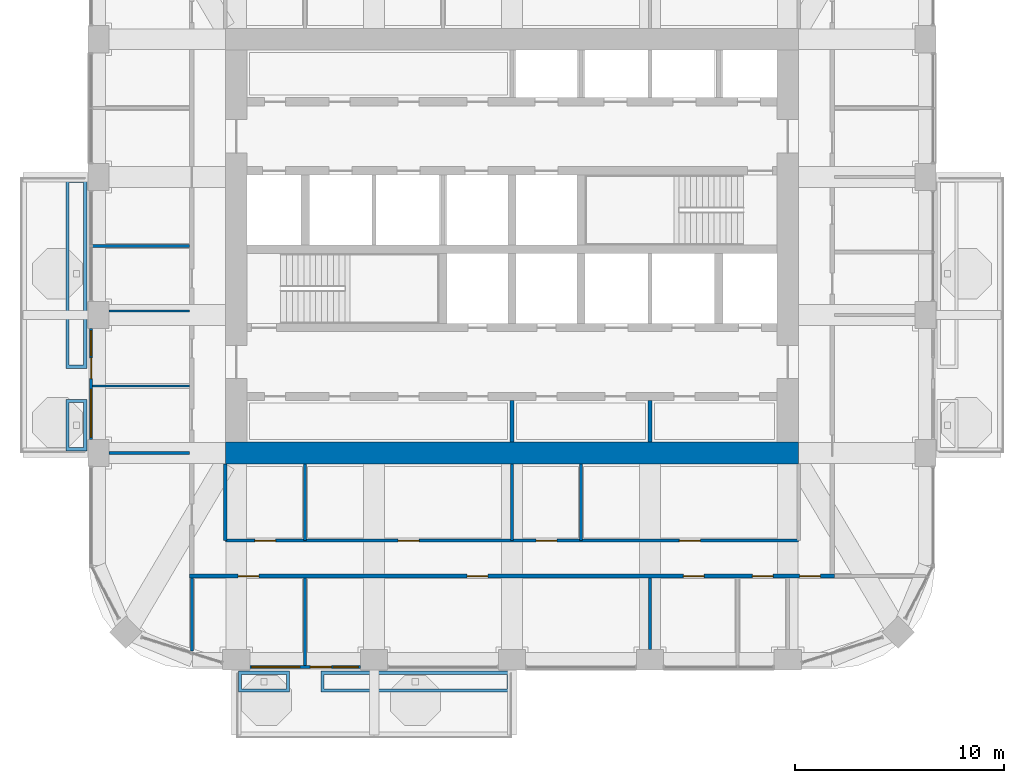
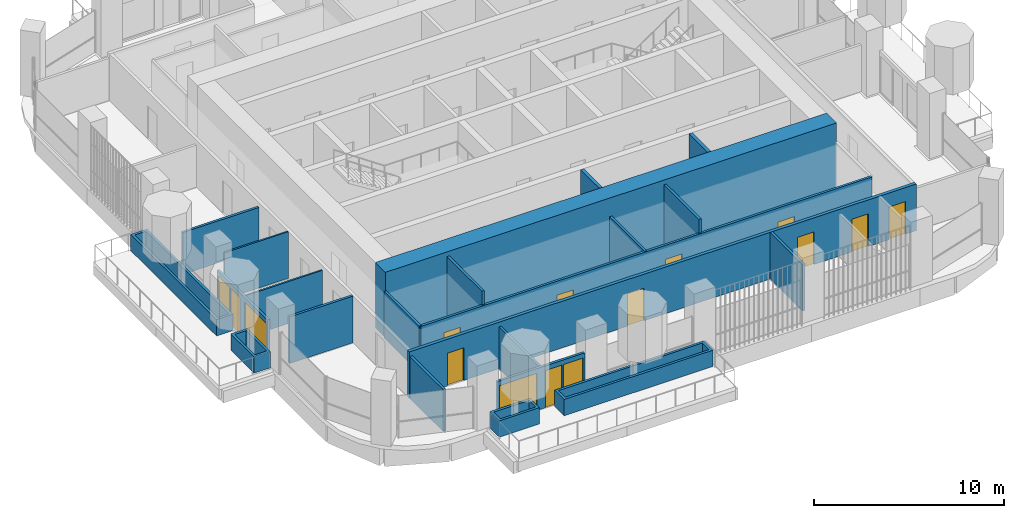
# One storey, part 11 of 19: 22 walls, 11 doors, 4 windows, 15 openings.
"""IFC4 building model written with IfcOpenShell, lengths in metres."""

from ifc_helpers import new_model, si_unit, direction, frame, frame_2d, origin, place, context, subcontext, project, spatial, polyline, rectangle, outline, extrude, material, layer, layer_set, type_object, element, fill, save


model = new_model("IFC4")

# Units and contexts
model_context = context("Model", 3, precision=1e-05, world=origin(), true_north=direction((0.0, 1.0)))
body_context = subcontext(model_context, "Body", "Model", "MODEL_VIEW")
ifc_project = project(units=[si_unit("LENGTHUNIT", "METRE"), si_unit("AREAUNIT", "SQUARE_METRE"), si_unit("VOLUMEUNIT", "CUBIC_METRE"), si_unit("PLANEANGLEUNIT", "RADIAN"), si_unit("MASSUNIT", "GRAM", prefix="KILO")], contexts=[model_context])

# Site, building, storey
site_placement = place(None, origin())
site = spatial("IfcSite", under=ifc_project, at=site_placement, CompositionType="ELEMENT")
building_placement = place(site_placement, origin())
building = spatial("IfcBuilding", under=site, at=building_placement, Name="Cobogo Forest Laboratory Tower", CompositionType="ELEMENT")
storey_placement = place(building_placement, frame((0.0, 0.0, 237.60009765625)))
storey = spatial("IfcBuildingStorey", under=building, at=storey_placement, Name="L54", CompositionType="ELEMENT", Elevation=237.60009765625)

# Wall
ifc_material_1 = material(Name="Concrete HA-50 (C50/60)", Category="concrete")
ifc_layer_1 = layer(ifc_material_1, 1.050048828125)
ifc_layer_set_1 = layer_set([ifc_layer_1], Name="CW1050 core outer wall 1050")
wall_type_1 = type_object("IfcWallType", Name="CW1050 core outer wall 1050", PredefinedType="SHEAR", material=ifc_layer_set_1)
wall_1_placement = place(storey_placement, frame((12.675048828125, 13.199951171875, 0.0), z_axis=(0.0, 0.0, 1.0), x_axis=(1.0, 0.0, 0.0)))
element("IfcWall", 1, at=wall_1_placement, inside=storey, type_object=wall_type_1, Name="Core wall CO-S L54", PredefinedType="SHEAR", context=body_context, shape_type="SweptSolid", body=[
    extrude(rectangle(XDim=27.449951171875, YDim=1.050048828125, at=frame_2d((13.72509765625, 0.0))), origin(), (0.0, 0.0, 1.0), 4.199951171875),
])

# Wall, openings, door, windows
ifc_material_2 = material(Name="Aluminium framed glazed screen", Category="aluminium")
ifc_layer_2 = layer(ifc_material_2, 0.14990234375)
ifc_layer_set_2 = layer_set([ifc_layer_2], Name="GS1 glazed door screen 150")
wall_type_2 = type_object("IfcWallType", Name="GS1 glazed door screen 150", PredefinedType="SOLIDWALL", material=ifc_layer_set_2)
wall_2_placement = place(storey_placement, frame((13.85009765625, 2.949951171875, 0.0), z_axis=(0.0, 0.0, 1.0), x_axis=(1.0, 0.0, 0.0)))
wall_2 = element("IfcWall", 2, at=wall_2_placement, inside=storey, type_object=wall_type_2, Name="Door screen BAL-S1 L54", PredefinedType="SOLIDWALL", context=body_context, shape_type="SweptSolid", body=[
    extrude(rectangle(XDim=5.2998046875, YDim=0.14990234375, at=frame_2d((2.64990234375, 0.0))), origin(), (0.0, 0.0, 1.0), 2.699951171875),
])
opening_1_placement = place(wall_2_placement, frame((2.89990234375, 0.0, 0.0)))
opening_1 = element("IfcOpeningElement", 3, at=opening_1_placement, cuts=wall_2, Name="Opening L54-D01", PredefinedType="OPENING", context=body_context, shape_type="SweptSolid", body=[
    extrude(rectangle(XDim=1.0, YDim=2.39990234375, at=frame_2d((0.5, 1.199951171875))), frame((0.0, 0.0849609375, 0.0), z_axis=(0.0, -1.0, 0.0), x_axis=(1.0, 0.0, 0.0)), (0.0, 0.0, 1.0), 0.169921875),
])
opening_2_placement = place(wall_2_placement, frame((0.10009765625, 0.0, 0.10009765625)))
opening_2 = element("IfcOpeningElement", 4, at=opening_2_placement, cuts=wall_2, Name="Opening L54-W01", PredefinedType="OPENING", context=body_context, shape_type="SweptSolid", body=[
    extrude(rectangle(XDim=2.300048828125, YDim=2.300048828125, at=frame_2d((1.14990234375, 1.14990234375))), frame((0.0, 0.0849609375, 0.0), z_axis=(0.0, -1.0, 0.0), x_axis=(1.0, 0.0, 0.0)), (0.0, 0.0, 1.0), 0.169921875),
])
opening_3_placement = place(wall_2_placement, frame((4.0, 0.0, 0.10009765625)))
opening_3 = element("IfcOpeningElement", 5, at=opening_3_placement, cuts=wall_2, Name="Opening L54-W02", PredefinedType="OPENING", context=body_context, shape_type="SweptSolid", body=[
    extrude(rectangle(XDim=1.199951171875, YDim=2.300048828125, at=frame_2d((0.60009765625, 1.14990234375))), frame((0.0, 0.0849609375, 0.0), z_axis=(0.0, -1.0, 0.0), x_axis=(1.0, 0.0, 0.0)), (0.0, 0.0, 1.0), 0.169921875),
])
ifc_material_3 = material(Name="Aluminium glazed door", Category="aluminium")
door_type_1 = type_object("IfcDoorType", Name="DB1 balcony door 1000 glazed", OperationType="SINGLE_SWING_LEFT", PredefinedType="DOOR", material=ifc_material_3)
door_1_placement = place(opening_1_placement, origin())
door_1 = element("IfcDoor", 6, at=door_1_placement, inside=storey, type_object=door_type_1, Name="Door L54-BAL-S1", OperationType="SINGLE_SWING_RIGHT", OverallHeight=2.39990234375, OverallWidth=1.0, PredefinedType="DOOR", context=body_context, shape_type="SweptSolid", body=[
    extrude(rectangle(XDim=1.0, YDim=2.39990234375, at=frame_2d((0.5, 1.199951171875))), frame((0.0, 0.02490234375, 0.0), z_axis=(0.0, -1.0, 0.0), x_axis=(1.0, 0.0, 0.0)), (0.0, 0.0, 1.0), 0.050048828125),
])
fill(opening_1, door_1)
ifc_material_4 = material(Name="Aluminium framed glazing", Category="aluminium")
window_type_1 = type_object("IfcWindowType", Name="WG21 fixed glazed light 2300x2300", PartitioningType="SINGLE_PANEL", PredefinedType="WINDOW", material=ifc_material_4)
window_1_placement = place(opening_2_placement, origin())
window_1 = element("IfcWindow", 7, at=window_1_placement, inside=storey, type_object=window_type_1, Name="Window L54-BAL-S1-1", OverallHeight=2.300048828125, OverallWidth=2.300048828125, PartitioningType="SINGLE_PANEL", PredefinedType="WINDOW", context=body_context, shape_type="SweptSolid", body=[
    extrude(rectangle(XDim=2.300048828125, YDim=2.300048828125, at=frame_2d((1.14990234375, 1.14990234375))), frame((0.0, 0.030029296875, 0.0), z_axis=(0.0, -1.0, 0.0), x_axis=(1.0, 0.0, 0.0)), (0.0, 0.0, 1.0), 0.06005859375),
])
fill(opening_2, window_1)
window_type_2 = type_object("IfcWindowType", Name="WG22 fixed glazed light 1200x2300", PartitioningType="SINGLE_PANEL", PredefinedType="WINDOW", material=ifc_material_4)
window_2_placement = place(opening_3_placement, origin())
window_2 = element("IfcWindow", 8, at=window_2_placement, inside=storey, type_object=window_type_2, Name="Window L54-BAL-S1-2", OverallHeight=2.300048828125, OverallWidth=1.199951171875, PartitioningType="SINGLE_PANEL", PredefinedType="WINDOW", context=body_context, shape_type="SweptSolid", body=[
    extrude(rectangle(XDim=1.199951171875, YDim=2.300048828125, at=frame_2d((0.60009765625, 1.14990234375))), frame((0.0, 0.030029296875, 0.0), z_axis=(0.0, -1.0, 0.0), x_axis=(1.0, 0.0, 0.0)), (0.0, 0.0, 1.0), 0.06005859375),
])
fill(opening_3, window_2)

wall_3_placement = place(storey_placement, frame((6.25, 19.14990234375, 0.0), z_axis=(0.0, 0.0, 1.0), x_axis=(0.0, -1.0, 0.0)))
wall_3 = element("IfcWall", 9, at=wall_3_placement, inside=storey, type_object=wall_type_2, Name="Door screen BAL-W1 L54", PredefinedType="SOLIDWALL", context=body_context, shape_type="SweptSolid", body=[
    extrude(rectangle(XDim=5.2998046875, YDim=0.14990234375, at=frame_2d((2.64990234375, 0.0))), origin(), (0.0, 0.0, 1.0), 2.699951171875),
])
opening_4_placement = place(wall_3_placement, frame((1.39990234375, 0.0, 0.0)))
opening_4 = element("IfcOpeningElement", 10, at=opening_4_placement, cuts=wall_3, Name="Opening L54-D22", PredefinedType="OPENING", context=body_context, shape_type="SweptSolid", body=[
    extrude(rectangle(XDim=1.0, YDim=2.39990234375, at=frame_2d((0.5, 1.199951171875))), frame((0.0, 0.0849609375, 0.0), z_axis=(0.0, -1.0, 0.0), x_axis=(1.0, 0.0, 0.0)), (0.0, 0.0, 1.0), 0.169921875),
])
opening_5_placement = place(wall_3_placement, frame((0.10009765625, 0.0, 0.10009765625)))
opening_5 = element("IfcOpeningElement", 11, at=opening_5_placement, cuts=wall_3, Name="Opening L54-W05", PredefinedType="OPENING", context=body_context, shape_type="SweptSolid", body=[
    extrude(rectangle(XDim=1.199951171875, YDim=2.300048828125, at=frame_2d((0.60009765625, 1.14990234375))), frame((0.0, 0.0849609375, 0.0), z_axis=(0.0, -1.0, 0.0), x_axis=(1.0, 0.0, 0.0)), (0.0, 0.0, 1.0), 0.169921875),
])
opening_6_placement = place(wall_3_placement, frame((2.89990234375, 0.0, 0.10009765625)))
opening_6 = element("IfcOpeningElement", 12, at=opening_6_placement, cuts=wall_3, Name="Opening L54-W03", PredefinedType="OPENING", context=body_context, shape_type="SweptSolid", body=[
    extrude(rectangle(XDim=2.300048828125, YDim=2.300048828125, at=frame_2d((1.14990234375, 1.14990234375))), frame((0.0, 0.0849609375, 0.0), z_axis=(0.0, -1.0, 0.0), x_axis=(1.0, 0.0, 0.0)), (0.0, 0.0, 1.0), 0.169921875),
])
door_2_placement = place(opening_4_placement, origin())
door_2 = element("IfcDoor", 13, at=door_2_placement, inside=storey, type_object=door_type_1, Name="Door L54-BAL-W1", OperationType="SINGLE_SWING_LEFT", OverallHeight=2.39990234375, OverallWidth=1.0, PredefinedType="DOOR", context=body_context, shape_type="SweptSolid", body=[
    extrude(rectangle(XDim=1.0, YDim=2.39990234375, at=frame_2d((0.5, 1.199951171875))), frame((0.0, 0.02490234375, 0.0), z_axis=(0.0, -1.0, 0.0), x_axis=(1.0, 0.0, 0.0)), (0.0, 0.0, 1.0), 0.050048828125),
])
fill(opening_4, door_2)
window_3_placement = place(opening_6_placement, origin())
window_3 = element("IfcWindow", 14, at=window_3_placement, inside=storey, type_object=window_type_1, Name="Window L54-BAL-W1-2", OverallHeight=2.300048828125, OverallWidth=2.300048828125, PartitioningType="SINGLE_PANEL", PredefinedType="WINDOW", context=body_context, shape_type="SweptSolid", body=[
    extrude(rectangle(XDim=2.300048828125, YDim=2.300048828125, at=frame_2d((1.14990234375, 1.14990234375))), frame((0.0, 0.030029296875, 0.0), z_axis=(0.0, -1.0, 0.0), x_axis=(1.0, 0.0, 0.0)), (0.0, 0.0, 1.0), 0.06005859375),
])
fill(opening_6, window_3)
window_4_placement = place(opening_5_placement, origin())
window_4 = element("IfcWindow", 15, at=window_4_placement, inside=storey, type_object=window_type_2, Name="Window L54-BAL-W1-1", OverallHeight=2.300048828125, OverallWidth=1.199951171875, PartitioningType="SINGLE_PANEL", PredefinedType="WINDOW", context=body_context, shape_type="SweptSolid", body=[
    extrude(rectangle(XDim=1.199951171875, YDim=2.300048828125, at=frame_2d((0.60009765625, 1.14990234375))), frame((0.0, 0.030029296875, 0.0), z_axis=(0.0, -1.0, 0.0), x_axis=(1.0, 0.0, 0.0)), (0.0, 0.0, 1.0), 0.06005859375),
])
fill(opening_5, window_4)

# Wall, openings, doors
ifc_material_5 = material(Name="Gypsum board on steel studs", Category="steel")
ifc_layer_3 = layer(ifc_material_5, 0.14990234375)
ifc_layer_set_3 = layer_set([ifc_layer_3], Name="PT1 laboratory partition 150")
wall_type_3 = type_object("IfcWallType", Name="PT1 laboratory partition 150", PredefinedType="PARTITIONING", material=ifc_layer_set_3)
wall_4_placement = place(storey_placement, frame((12.675048828125, 9.0, 0.0), z_axis=(0.0, 0.0, 1.0), x_axis=(1.0, 0.0, 0.0)))
wall_4 = element("IfcWall", 16, at=wall_4_placement, inside=storey, type_object=wall_type_3, Name="Partition CSTRIP-S L54", PredefinedType="PARTITIONING", context=body_context, shape_type="SweptSolid", body=[
    extrude(rectangle(XDim=27.449951171875, YDim=0.14990234375, at=frame_2d((13.72509765625, 0.0))), origin(), (0.0, 0.0, 1.0), 3.0),
])
opening_7_placement = place(wall_4_placement, frame((1.41259765625, 0.0, 0.0)))
opening_7 = element("IfcOpeningElement", 17, at=opening_7_placement, cuts=wall_4, Name="Opening L54-D07", PredefinedType="OPENING", context=body_context, shape_type="SweptSolid", body=[
    extrude(rectangle(XDim=1.0, YDim=2.10009765625, at=frame_2d((0.5, 1.050048828125))), frame((0.0, 0.0849609375, 0.0), z_axis=(0.0, -1.0, 0.0), x_axis=(1.0, 0.0, 0.0)), (0.0, 0.0, 1.0), 0.169921875),
])
opening_8_placement = place(wall_4_placement, frame((8.27490234375, 0.0, 0.0)))
opening_8 = element("IfcOpeningElement", 18, at=opening_8_placement, cuts=wall_4, Name="Opening L54-D08", PredefinedType="OPENING", context=body_context, shape_type="SweptSolid", body=[
    extrude(rectangle(XDim=1.0, YDim=2.10009765625, at=frame_2d((0.5, 1.050048828125))), frame((0.0, 0.0849609375, 0.0), z_axis=(0.0, -1.0, 0.0), x_axis=(1.0, 0.0, 0.0)), (0.0, 0.0, 1.0), 0.169921875),
])
opening_9_placement = place(wall_4_placement, frame((14.875, 0.0, 0.0)))
opening_9 = element("IfcOpeningElement", 19, at=opening_9_placement, cuts=wall_4, Name="Opening L54-D09", PredefinedType="OPENING", context=body_context, shape_type="SweptSolid", body=[
    extrude(rectangle(XDim=1.0, YDim=2.10009765625, at=frame_2d((0.5, 1.050048828125))), frame((0.0, 0.0849609375, 0.0), z_axis=(0.0, -1.0, 0.0), x_axis=(1.0, 0.0, 0.0)), (0.0, 0.0, 1.0), 0.169921875),
])
opening_10_placement = place(wall_4_placement, frame((21.737548828125, 0.0, 0.0)))
opening_10 = element("IfcOpeningElement", 20, at=opening_10_placement, cuts=wall_4, Name="Opening L54-D10", PredefinedType="OPENING", context=body_context, shape_type="SweptSolid", body=[
    extrude(rectangle(XDim=1.0, YDim=2.10009765625, at=frame_2d((0.5, 1.050048828125))), frame((0.0, 0.0849609375, 0.0), z_axis=(0.0, -1.0, 0.0), x_axis=(1.0, 0.0, 0.0)), (0.0, 0.0, 1.0), 0.169921875),
])
ifc_material_6 = material(Name="Timber fire door", Category="wood")
door_type_2 = type_object("IfcDoorType", Name="FD2 fire door 1000 EI2 30", OperationType="SINGLE_SWING_LEFT", PredefinedType="DOOR", material=ifc_material_6)
door_3_placement = place(opening_7_placement, origin())
door_3 = element("IfcDoor", 21, at=door_3_placement, inside=storey, type_object=door_type_2, Name="Door L54-CSS1", OperationType="SINGLE_SWING_LEFT", OverallHeight=2.10009765625, OverallWidth=1.0, PredefinedType="DOOR", context=body_context, shape_type="SweptSolid", body=[
    extrude(rectangle(XDim=1.0, YDim=2.10009765625, at=frame_2d((0.5, 1.050048828125))), frame((0.0, 0.02490234375, 0.0), z_axis=(0.0, -1.0, 0.0), x_axis=(1.0, 0.0, 0.0)), (0.0, 0.0, 1.0), 0.050048828125),
])
fill(opening_7, door_3)
door_4_placement = place(opening_8_placement, origin())
door_4 = element("IfcDoor", 22, at=door_4_placement, inside=storey, type_object=door_type_2, Name="Door L54-CSS2", OperationType="SINGLE_SWING_LEFT", OverallHeight=2.10009765625, OverallWidth=1.0, PredefinedType="DOOR", context=body_context, shape_type="SweptSolid", body=[
    extrude(rectangle(XDim=1.0, YDim=2.10009765625, at=frame_2d((0.5, 1.050048828125))), frame((0.0, 0.02490234375, 0.0), z_axis=(0.0, -1.0, 0.0), x_axis=(1.0, 0.0, 0.0)), (0.0, 0.0, 1.0), 0.050048828125),
])
fill(opening_8, door_4)
door_5_placement = place(opening_9_placement, origin())
door_5 = element("IfcDoor", 23, at=door_5_placement, inside=storey, type_object=door_type_2, Name="Door L54-CSS3", OperationType="SINGLE_SWING_RIGHT", OverallHeight=2.10009765625, OverallWidth=1.0, PredefinedType="DOOR", context=body_context, shape_type="SweptSolid", body=[
    extrude(rectangle(XDim=1.0, YDim=2.10009765625, at=frame_2d((0.5, 1.050048828125))), frame((0.0, 0.02490234375, 0.0), z_axis=(0.0, -1.0, 0.0), x_axis=(1.0, 0.0, 0.0)), (0.0, 0.0, 1.0), 0.050048828125),
])
fill(opening_9, door_5)
door_6_placement = place(opening_10_placement, origin())
door_6 = element("IfcDoor", 24, at=door_6_placement, inside=storey, type_object=door_type_2, Name="Door L54-CSS4", OperationType="SINGLE_SWING_RIGHT", OverallHeight=2.10009765625, OverallWidth=1.0, PredefinedType="DOOR", context=body_context, shape_type="SweptSolid", body=[
    extrude(rectangle(XDim=1.0, YDim=2.10009765625, at=frame_2d((0.5, 1.050048828125))), frame((0.0, 0.02490234375, 0.0), z_axis=(0.0, -1.0, 0.0), x_axis=(1.0, 0.0, 0.0)), (0.0, 0.0, 1.0), 0.050048828125),
])
fill(opening_10, door_6)

# Walls
wall_5_placement = place(storey_placement, frame((12.675048828125, 12.675048828125, 0.0), z_axis=(0.0, 0.0, 1.0), x_axis=(0.0, -1.0, 0.0)))
element("IfcWall", 25, at=wall_5_placement, inside=storey, type_object=wall_type_3, Name="Partition CSTRIP-SW L54", PredefinedType="PARTITIONING", context=body_context, shape_type="SweptSolid", body=[
    extrude(rectangle(XDim=3.675048828125, YDim=0.14990234375, at=frame_2d((1.83740234375, 0.0))), origin(), (0.0, 0.0, 1.0), 3.0),
])
wall_6_placement = place(storey_placement, frame((16.5, 12.675048828125, 0.0), z_axis=(0.0, 0.0, 1.0), x_axis=(0.0, -1.0, 0.0)))
element("IfcWall", 26, at=wall_6_placement, inside=storey, type_object=wall_type_3, Name="Partition CSTRIP-S16.5 L54", PredefinedType="PARTITIONING", context=body_context, shape_type="SweptSolid", body=[
    extrude(rectangle(XDim=3.675048828125, YDim=0.14990234375, at=frame_2d((1.83740234375, 0.0))), origin(), (0.0, 0.0, 1.0), 3.89990234375),
])
wall_7_placement = place(storey_placement, frame((26.39990234375, 12.675048828125, 0.0), z_axis=(0.0, 0.0, 1.0), x_axis=(0.0, -1.0, 0.0)))
element("IfcWall", 27, at=wall_7_placement, inside=storey, type_object=wall_type_3, Name="Partition CSTRIP-S26.4 L54", PredefinedType="PARTITIONING", context=body_context, shape_type="SweptSolid", body=[
    extrude(rectangle(XDim=3.675048828125, YDim=0.14990234375, at=frame_2d((1.83740234375, 0.0))), origin(), (0.0, 0.0, 1.0), 3.0),
])
wall_8_placement = place(storey_placement, frame((29.699951171875, 12.675048828125, 0.0), z_axis=(0.0, 0.0, 1.0), x_axis=(0.0, -1.0, 0.0)))
element("IfcWall", 28, at=wall_8_placement, inside=storey, type_object=wall_type_3, Name="Partition CSTRIP-S29.7 L54", PredefinedType="PARTITIONING", context=body_context, shape_type="SweptSolid", body=[
    extrude(rectangle(XDim=3.675048828125, YDim=0.14990234375, at=frame_2d((1.83740234375, 0.0))), origin(), (0.0, 0.0, 1.0), 3.89990234375),
])
wall_9_placement = place(storey_placement, frame((11.074951171875, 3.705078125, 0.0), z_axis=(0.0, 0.0, 1.0), x_axis=(0.0, 1.0, 0.0)))
element("IfcWall", 29, at=wall_9_placement, inside=storey, type_object=wall_type_3, Name="Partition PW-SW L54", PredefinedType="PARTITIONING", context=body_context, shape_type="SweptSolid", body=[
    extrude(rectangle(XDim=3.494873046875, YDim=0.14990234375, at=frame_2d((1.74755859375, 0.0))), origin(), (0.0, 0.0, 1.0), 2.699951171875),
])
wall_10_placement = place(storey_placement, frame((16.5, 3.030029296875, 0.0), z_axis=(0.0, 0.0, 1.0), x_axis=(0.0, 1.0, 0.0)))
element("IfcWall", 30, at=wall_10_placement, inside=storey, type_object=wall_type_3, Name="Partition CUT-S16.5-1 L54", PredefinedType="PARTITIONING", context=body_context, shape_type="SweptSolid", body=[
    extrude(rectangle(XDim=4.169921875, YDim=0.14990234375, at=frame_2d((2.0849609375, 0.0))), origin(), (0.0, 0.0, 1.0), 2.699951171875),
])
wall_11_placement = place(storey_placement, frame((33.0, 3.800048828125, 0.0), z_axis=(0.0, 0.0, 1.0), x_axis=(0.0, 1.0, 0.0)))
element("IfcWall", 31, at=wall_11_placement, inside=storey, type_object=wall_type_3, Name="Partition CUT-S33-1 L54", PredefinedType="PARTITIONING", context=body_context, shape_type="SweptSolid", body=[
    extrude(rectangle(XDim=3.39990234375, YDim=0.14990234375, at=frame_2d((1.699951171875, 0.0))), origin(), (0.0, 0.0, 1.0), 3.0),
])
wall_12_placement = place(storey_placement, frame((6.330078125, 23.10009765625, 0.0), z_axis=(0.0, 0.0, 1.0), x_axis=(1.0, 0.0, 0.0)))
element("IfcWall", 32, at=wall_12_placement, inside=storey, type_object=wall_type_3, Name="Partition SVC-W3-1 L54", PredefinedType="PARTITIONING", context=body_context, shape_type="SweptSolid", body=[
    extrude(rectangle(XDim=4.64501953125, YDim=0.14990234375, at=frame_2d((2.322509765625, 0.0))), origin(), (0.0, 0.0, 1.0), 2.699951171875),
])
wall_13_placement = place(storey_placement, frame((7.10009765625, 13.199951171875, 0.0), z_axis=(0.0, 0.0, 1.0), x_axis=(1.0, 0.0, 0.0)))
element("IfcWall", 33, at=wall_13_placement, inside=storey, type_object=wall_type_3, Name="Partition CUT-W13.2-1 L54", PredefinedType="PARTITIONING", context=body_context, shape_type="SweptSolid", body=[
    extrude(rectangle(XDim=3.875, YDim=0.14990234375, at=frame_2d((1.9375, 0.0))), origin(), (0.0, 0.0, 1.0), 3.0),
])

# Wall, openings, doors
ifc_layer_4 = layer(ifc_material_5, 0.199951171875)
ifc_layer_set_4 = layer_set([ifc_layer_4], Name="PT2 fire-rated corridor partition 200")
wall_type_4 = type_object("IfcWallType", Name="PT2 fire-rated corridor partition 200", PredefinedType="PARTITIONING", material=ifc_layer_set_4)
wall_14_placement = place(storey_placement, frame((10.97509765625, 7.300048828125, 0.0), z_axis=(0.0, 0.0, 1.0), x_axis=(1.0, 0.0, 0.0)))
wall_14 = element("IfcWall", 34, at=wall_14_placement, inside=storey, type_object=wall_type_4, Name="Partition CORR-S L54", PredefinedType="PARTITIONING", context=body_context, shape_type="SweptSolid", body=[
    extrude(rectangle(XDim=30.849853515625, YDim=0.199951171875, at=frame_2d((15.4248046875, 0.0))), origin(), (0.0, 0.0, 1.0), 3.0),
])
opening_11_placement = place(wall_14_placement, frame((2.3125, 0.0, 0.0)))
opening_11 = element("IfcOpeningElement", 35, at=opening_11_placement, cuts=wall_14, Name="Opening L54-D02", PredefinedType="OPENING", context=body_context, shape_type="SweptSolid", body=[
    extrude(rectangle(XDim=1.0, YDim=2.10009765625, at=frame_2d((0.5, 1.050048828125))), frame((0.0, 0.10986328125, 0.0), z_axis=(0.0, -1.0, 0.0), x_axis=(1.0, 0.0, 0.0)), (0.0, 0.0, 1.0), 0.219970703125),
])
opening_12_placement = place(wall_14_placement, frame((13.27490234375, 0.0, 0.0)))
opening_12 = element("IfcOpeningElement", 36, at=opening_12_placement, cuts=wall_14, Name="Opening L54-D03", PredefinedType="OPENING", context=body_context, shape_type="SweptSolid", body=[
    extrude(rectangle(XDim=1.0, YDim=2.10009765625, at=frame_2d((0.5, 1.050048828125))), frame((0.0, 0.10986328125, 0.0), z_axis=(0.0, -1.0, 0.0), x_axis=(1.0, 0.0, 0.0)), (0.0, 0.0, 1.0), 0.219970703125),
])
opening_13_placement = place(wall_14_placement, frame((23.625, 0.0, 0.0)))
opening_13 = element("IfcOpeningElement", 37, at=opening_13_placement, cuts=wall_14, Name="Opening L54-D04", PredefinedType="OPENING", context=body_context, shape_type="SweptSolid", body=[
    extrude(rectangle(XDim=1.0, YDim=2.10009765625, at=frame_2d((0.5, 1.050048828125))), frame((0.0, 0.10986328125, 0.0), z_axis=(0.0, -1.0, 0.0), x_axis=(1.0, 0.0, 0.0)), (0.0, 0.0, 1.0), 0.219970703125),
])
opening_14_placement = place(wall_14_placement, frame((26.925048828125, 0.0, 0.0)))
opening_14 = element("IfcOpeningElement", 38, at=opening_14_placement, cuts=wall_14, Name="Opening L54-D05", PredefinedType="OPENING", context=body_context, shape_type="SweptSolid", body=[
    extrude(rectangle(XDim=1.0, YDim=2.10009765625, at=frame_2d((0.5, 1.050048828125))), frame((0.0, 0.10986328125, 0.0), z_axis=(0.0, -1.0, 0.0), x_axis=(1.0, 0.0, 0.0)), (0.0, 0.0, 1.0), 0.219970703125),
])
opening_15_placement = place(wall_14_placement, frame((29.1875, 0.0, 0.0)))
opening_15 = element("IfcOpeningElement", 39, at=opening_15_placement, cuts=wall_14, Name="Opening L54-D06", PredefinedType="OPENING", context=body_context, shape_type="SweptSolid", body=[
    extrude(rectangle(XDim=1.0, YDim=2.10009765625, at=frame_2d((0.5, 1.050048828125))), frame((0.0, 0.10986328125, 0.0), z_axis=(0.0, -1.0, 0.0), x_axis=(1.0, 0.0, 0.0)), (0.0, 0.0, 1.0), 0.219970703125),
])
door_7_placement = place(opening_11_placement, origin())
door_7 = element("IfcDoor", 40, at=door_7_placement, inside=storey, type_object=door_type_2, Name="Door L54-S1", OperationType="SINGLE_SWING_LEFT", OverallHeight=2.10009765625, OverallWidth=1.0, PredefinedType="DOOR", context=body_context, shape_type="SweptSolid", body=[
    extrude(rectangle(XDim=1.0, YDim=2.10009765625, at=frame_2d((0.5, 1.050048828125))), frame((0.0, 0.02490234375, 0.0), z_axis=(0.0, -1.0, 0.0), x_axis=(1.0, 0.0, 0.0)), (0.0, 0.0, 1.0), 0.050048828125),
])
fill(opening_11, door_7)
door_8_placement = place(opening_12_placement, origin())
door_8 = element("IfcDoor", 41, at=door_8_placement, inside=storey, type_object=door_type_2, Name="Door L54-S2", OperationType="SINGLE_SWING_LEFT", OverallHeight=2.10009765625, OverallWidth=1.0, PredefinedType="DOOR", context=body_context, shape_type="SweptSolid", body=[
    extrude(rectangle(XDim=1.0, YDim=2.10009765625, at=frame_2d((0.5, 1.050048828125))), frame((0.0, 0.02490234375, 0.0), z_axis=(0.0, -1.0, 0.0), x_axis=(1.0, 0.0, 0.0)), (0.0, 0.0, 1.0), 0.050048828125),
])
fill(opening_12, door_8)
door_9_placement = place(opening_13_placement, origin())
door_9 = element("IfcDoor", 42, at=door_9_placement, inside=storey, type_object=door_type_2, Name="Door L54-MTG", OperationType="SINGLE_SWING_RIGHT", OverallHeight=2.10009765625, OverallWidth=1.0, PredefinedType="DOOR", context=body_context, shape_type="SweptSolid", body=[
    extrude(rectangle(XDim=1.0, YDim=2.10009765625, at=frame_2d((0.5, 1.050048828125))), frame((0.0, 0.02490234375, 0.0), z_axis=(0.0, -1.0, 0.0), x_axis=(1.0, 0.0, 0.0)), (0.0, 0.0, 1.0), 0.050048828125),
])
fill(opening_13, door_9)
door_10_placement = place(opening_14_placement, origin())
door_10 = element("IfcDoor", 43, at=door_10_placement, inside=storey, type_object=door_type_2, Name="Door L54-PAN", OperationType="SINGLE_SWING_RIGHT", OverallHeight=2.10009765625, OverallWidth=1.0, PredefinedType="DOOR", context=body_context, shape_type="SweptSolid", body=[
    extrude(rectangle(XDim=1.0, YDim=2.10009765625, at=frame_2d((0.5, 1.050048828125))), frame((0.0, 0.02490234375, 0.0), z_axis=(0.0, -1.0, 0.0), x_axis=(1.0, 0.0, 0.0)), (0.0, 0.0, 1.0), 0.050048828125),
])
fill(opening_14, door_10)
door_11_placement = place(opening_15_placement, origin())
door_11 = element("IfcDoor", 44, at=door_11_placement, inside=storey, type_object=door_type_2, Name="Door L54-S4", OperationType="SINGLE_SWING_RIGHT", OverallHeight=2.10009765625, OverallWidth=1.0, PredefinedType="DOOR", context=body_context, shape_type="SweptSolid", body=[
    extrude(rectangle(XDim=1.0, YDim=2.10009765625, at=frame_2d((0.5, 1.050048828125))), frame((0.0, 0.02490234375, 0.0), z_axis=(0.0, -1.0, 0.0), x_axis=(1.0, 0.0, 0.0)), (0.0, 0.0, 1.0), 0.050048828125),
])
fill(opening_15, door_11)

# Walls
ifc_layer_5 = layer(ifc_material_5, 0.10009765625)
ifc_layer_set_5 = layer_set([ifc_layer_5], Name="PT3 toilet partition 100")
wall_type_5 = type_object("IfcWallType", Name="PT3 toilet partition 100", PredefinedType="PARTITIONING", material=ifc_layer_set_5)
wall_15_placement = place(storey_placement, frame((6.330078125, 16.39990234375, 0.0), z_axis=(0.0, 0.0, 1.0), x_axis=(1.0, 0.0, 0.0)))
element("IfcWall", 45, at=wall_15_placement, inside=storey, type_object=wall_type_5, Name="Partition SVC-W1-1 L54", PredefinedType="PARTITIONING", context=body_context, shape_type="SweptSolid", body=[
    extrude(rectangle(XDim=4.64501953125, YDim=0.10009765625, at=frame_2d((2.322509765625, 0.0))), origin(), (0.0, 0.0, 1.0), 2.699951171875),
])
wall_16_placement = place(storey_placement, frame((7.10009765625, 20.0, 0.0), z_axis=(0.0, 0.0, 1.0), x_axis=(1.0, 0.0, 0.0)))
element("IfcWall", 46, at=wall_16_placement, inside=storey, type_object=wall_type_5, Name="Partition SVC-W2-1 L54", PredefinedType="PARTITIONING", context=body_context, shape_type="SweptSolid", body=[
    extrude(rectangle(XDim=3.875, YDim=0.10009765625, at=frame_2d((1.9375, 0.0))), origin(), (0.0, 0.0, 1.0), 3.0),
])
ifc_material_7 = material(Name="Concrete HA-40 (C40/50)", Category="concrete")
ifc_layer_6 = layer(ifc_material_7, 0.14990234375)
ifc_layer_set_6 = layer_set([ifc_layer_6], Name="Planter box 1000x1050")
wall_type_6 = type_object("IfcWallType", Name="Planter box 1000x1050", PredefinedType="USERDEFINED", material=ifc_layer_set_6)
wall_17_placement = place(storey_placement, origin())
element("IfcWall", 47, at=wall_17_placement, inside=storey, type_object=wall_type_6, Name="Planter BAL-S1-1 L54", ObjectType="PLANTER", PredefinedType="USERDEFINED", context=body_context, shape_type="SweptSolid", body=[
    extrude(outline(polyline([(13.300048828125, 1.75), (15.75, 1.75), (15.75, 2.75), (13.300048828125, 2.75), (13.300048828125, 1.75)]), holes=[polyline([(13.449951171875, 1.89990234375), (15.60009765625, 1.89990234375), (15.60009765625, 2.60009765625), (13.449951171875, 2.60009765625), (13.449951171875, 1.89990234375)])]), origin(), (0.0, 0.0, 1.0), 1.0498046875),
])
wall_18_placement = place(storey_placement, origin())
element("IfcWall", 48, at=wall_18_placement, inside=storey, type_object=wall_type_6, Name="Planter BAL-S1-2 L54", ObjectType="PLANTER", PredefinedType="USERDEFINED", context=body_context, shape_type="SweptSolid", body=[
    extrude(outline(polyline([(17.25, 1.75), (26.300048828125, 1.75), (26.300048828125, 2.75), (17.25, 2.75), (17.25, 1.75)]), holes=[polyline([(17.39990234375, 1.89990234375), (26.14990234375, 1.89990234375), (26.14990234375, 2.60009765625), (17.39990234375, 2.60009765625), (17.39990234375, 1.89990234375)])]), origin(), (0.0, 0.0, 1.0), 1.0498046875),
])
wall_19_placement = place(storey_placement, origin())
element("IfcWall", 49, at=wall_19_placement, inside=storey, type_object=wall_type_6, Name="Planter BAL-W1-1 L54", ObjectType="PLANTER", PredefinedType="USERDEFINED", context=body_context, shape_type="SweptSolid", body=[
    extrude(outline(polyline([(5.050048828125, 13.300048828125), (6.050048828125, 13.300048828125), (6.050048828125, 15.75), (5.050048828125, 15.75), (5.050048828125, 13.300048828125)]), holes=[polyline([(5.199951171875, 13.449951171875), (5.89990234375, 13.449951171875), (5.89990234375, 15.60009765625), (5.199951171875, 15.60009765625), (5.199951171875, 13.449951171875)])]), origin(), (0.0, 0.0, 1.0), 1.0498046875),
])
wall_20_placement = place(storey_placement, origin())
element("IfcWall", 50, at=wall_20_placement, inside=storey, type_object=wall_type_6, Name="Planter BAL-W1-2 L54", ObjectType="PLANTER", PredefinedType="USERDEFINED", context=body_context, shape_type="SweptSolid", body=[
    extrude(outline(polyline([(5.050048828125, 17.25), (6.050048828125, 17.25), (6.050048828125, 26.300048828125), (5.050048828125, 26.300048828125), (5.050048828125, 17.25)]), holes=[polyline([(5.199951171875, 17.39990234375), (5.89990234375, 17.39990234375), (5.89990234375, 26.14990234375), (5.199951171875, 26.14990234375), (5.199951171875, 17.39990234375)])]), origin(), (0.0, 0.0, 1.0), 1.0498046875),
])
ifc_material_8 = material(Name="Concrete block", Category="concrete")
ifc_layer_7 = layer(ifc_material_8, 0.199951171875)
ifc_layer_set_7 = layer_set([ifc_layer_7], Name="SW200 lift shaft separator 200")
wall_type_7 = type_object("IfcWallType", Name="SW200 lift shaft separator 200", PredefinedType="PARTITIONING", material=ifc_layer_set_7)
for number, where, z_axis, x_axis, name in (
    (51, (26.39990234375, 13.72509765625, 0.0), (0.0, 0.0, 1.0), (0.0, 1.0, 0.0), "Core wall SEP-S4 L54"),
    (52, (33.0, 13.72509765625, 0.0), (0.0, 0.0, 1.0), (0.0, 1.0, 0.0), "Core wall SEP-S6 L54"),
):
    element("IfcWall", number, at=place(storey_placement, frame(where, z_axis=z_axis, x_axis=x_axis)), inside=storey, type_object=wall_type_7, Name=name, PredefinedType="PARTITIONING", context=body_context, shape_type="SweptSolid", body=[
        extrude(rectangle(XDim=1.974853515625, YDim=0.199951171875, at=frame_2d((0.9873046875, 0.0))), origin(), (0.0, 0.0, 1.0), 4.199951171875),
    ])

save(model, "model.ifc")
